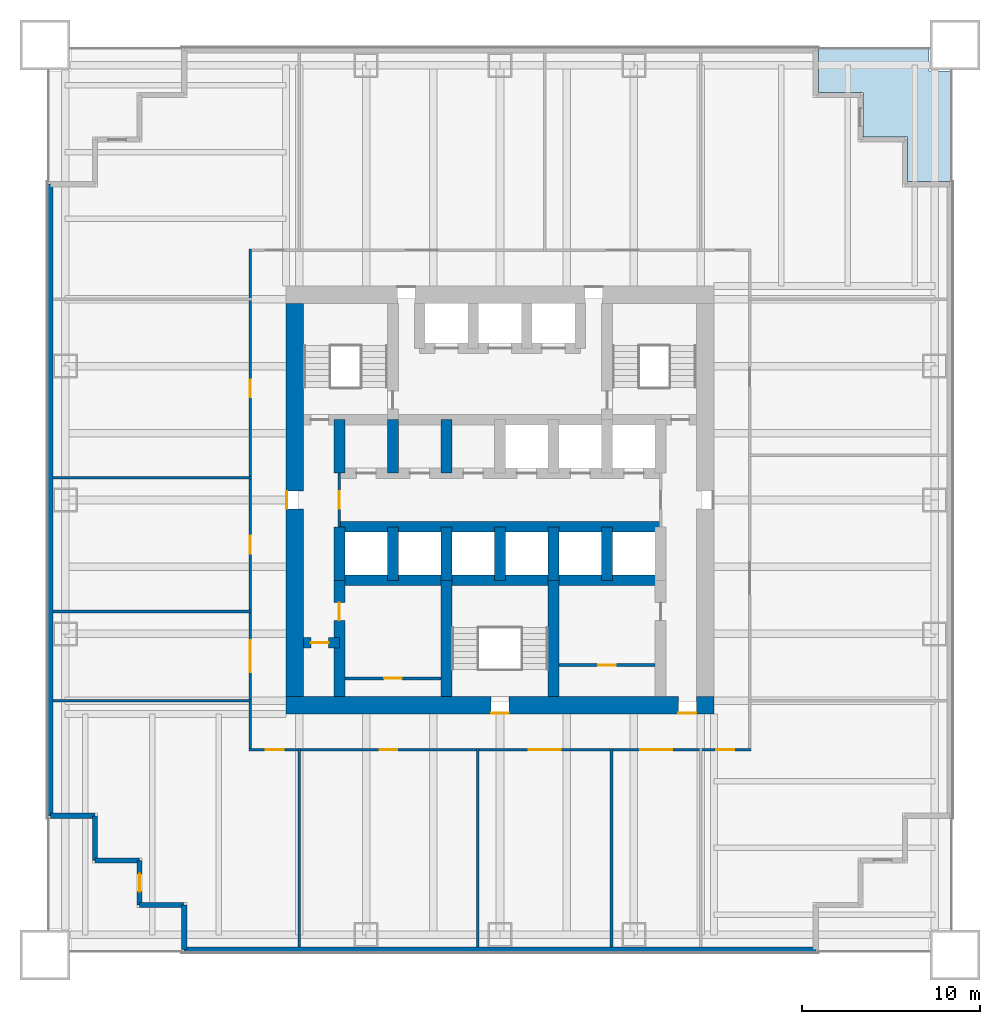
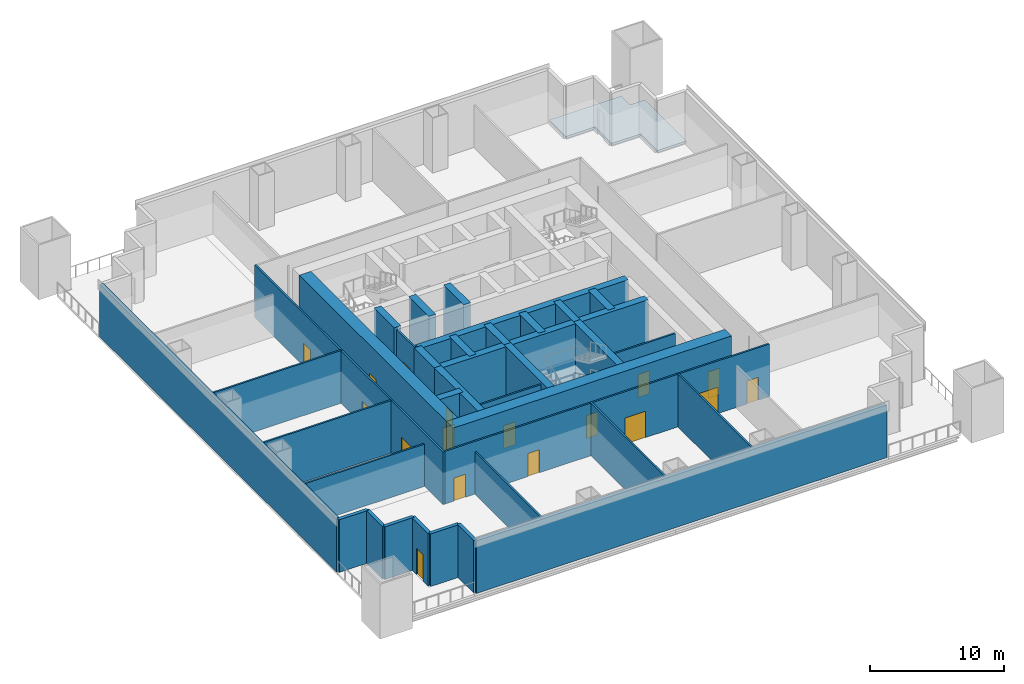
# One storey, part 2 of 6: 36 walls, 17 doors, 1 slab, 17 openings.
"""IFC4 building model written with IfcOpenShell, lengths in metres."""

import ifcopenshell
import ifcopenshell.guid

model = None  # the IFC model being written
_history = None  # IfcOwnerHistory: only IFC2X3 demands one
_inside = {}  # id of a spatial element -> (the spatial element, [elements in it])
_under = {}  # id of a project, library or spatial element -> (it, [spatial elements below it])
_declared = {}  # id of a project -> (the project, [libraries it declares])
_typed = {}  # id of a type object -> (the type object, [elements of that type])
_made_of = {}  # id of a material, layer set ... -> (it, [elements and type objects made of it])


def new_model(schema):
    """Start an empty IFC model of exactly this schema.

    Asked for "IFC4X3", IfcOpenShell would pick the latest addendum, in which some entities
    have other attributes; the version numbers below select the first issue.
    IFC2X3 requires an IfcOwnerHistory on every rooted entity: one is made here for all.
    """
    global model, _history
    if schema == "IFC4X3":
        model = ifcopenshell.file(schema_version=(4, 3, 0, 0))
    else:
        model = ifcopenshell.file(schema=schema)
    _inside.clear()
    _under.clear()
    _declared.clear()
    _typed.clear()
    _made_of.clear()
    _history = None
    if model.schema == "IFC2X3":
        org = make("IfcOrganization", Name="unknown")
        user = make(
            "IfcPersonAndOrganization",
            ThePerson=make("IfcPerson", FamilyName="unknown"),
            TheOrganization=org,
        )
        app = make(
            "IfcApplication",
            ApplicationDeveloper=org,
            Version="unknown",
            ApplicationFullName="unknown",
            ApplicationIdentifier="unknown",
        )
        _history = make(
            "IfcOwnerHistory",
            OwningUser=user,
            OwningApplication=app,
            ChangeAction="ADDED",
            CreationDate=0,
        )
    return model


def make(cls, **values):
    """One entity of the class cls with the attributes given. An attribute that is None is left unset."""
    return model.create_entity(
        cls, **{name: value for name, value in values.items() if value is not None}
    )


def rooted(cls, **values):
    """An entity with a GlobalId (a new one), such as an element, a storey or a relation."""
    return make(cls, GlobalId=ifcopenshell.guid.new(), OwnerHistory=_history, **values)


def si_unit(unit_type, name, prefix=None):
    """IfcSIUnit, for example si_unit("LENGTHUNIT", "METRE", prefix="MILLI")."""
    return make("IfcSIUnit", UnitType=unit_type, Prefix=prefix, Name=name)


def assignment(units):
    """IfcUnitAssignment: the units of a project."""
    return None if units is None else make("IfcUnitAssignment", Units=units)


def point(xyz):
    """IfcCartesianPoint."""
    return None if xyz is None else make("IfcCartesianPoint", Coordinates=xyz)


def direction(xyz):
    """IfcDirection."""
    return None if xyz is None else make("IfcDirection", DirectionRatios=xyz)


def frame(location, z_axis=None, x_axis=None):
    """IfcAxis2Placement3D, a coordinate frame: its origin and axes. An axis left out is left unset."""
    return make(
        "IfcAxis2Placement3D",
        Location=point(location),
        Axis=direction(z_axis),
        RefDirection=direction(x_axis),
    )


def frame_2d(location, x_axis=None):
    """IfcAxis2Placement2D, a coordinate frame in the plane: its origin and x axis."""
    return make(
        "IfcAxis2Placement2D", Location=point(location), RefDirection=direction(x_axis)
    )


def origin():
    """The frame at (0, 0, 0) with its axes left unset."""
    return frame((0.0, 0.0, 0.0))


def place(relative_to, where):
    """IfcLocalPlacement: puts the frame where relative to a parent placement (None: the world)."""
    return make(
        "IfcLocalPlacement", PlacementRelTo=relative_to, RelativePlacement=where
    )


def context(
    kind, dimensions, precision=None, world=None, true_north=None, identifier=None
):
    """IfcGeometricRepresentationContext, for example the 3D "Model" context."""
    return make(
        "IfcGeometricRepresentationContext",
        ContextIdentifier=identifier,
        ContextType=kind,
        CoordinateSpaceDimension=dimensions,
        Precision=precision,
        WorldCoordinateSystem=world,
        TrueNorth=true_north,
    )


def subcontext(parent, identifier, kind, view, scale=None):
    """IfcGeometricRepresentationSubContext, for example "Body" below "Model"."""
    return make(
        "IfcGeometricRepresentationSubContext",
        ContextIdentifier=identifier,
        ContextType=kind,
        ParentContext=parent,
        TargetScale=scale,
        TargetView=view,
    )


def project(units=None, contexts=None):
    """IfcProject with its units and contexts."""
    return rooted(
        "IfcProject",
        Name="project",
        RepresentationContexts=contexts,
        UnitsInContext=assignment(units),
    )


def spatial(cls, under=None, at=None, **own):
    """A site, building, storey or space (cls), placed at a placement, below another one or the project."""
    s = rooted(cls, ObjectPlacement=at, **own)
    if under is not None:
        _under.setdefault(under.id(), (under, []))[1].append(s)
    return s


def polyline(points):
    """IfcPolyline through the points."""
    return make("IfcPolyline", Points=[point(p) for p in points])


def profile(cls, at=None, kind="AREA", **sizes):
    """A parametric profile (cls). Its sizes go by their IFC names, for example OverallWidth=200.0."""
    return make(cls, ProfileType=kind, Position=at, **sizes)


def rectangle(**sizes):
    """IfcRectangleProfileDef."""
    return profile("IfcRectangleProfileDef", **sizes)


def outline(outer, holes=None, kind="AREA"):
    """IfcArbitraryClosedProfileDef: a profile drawn as a closed curve; with holes, ...WithVoids."""
    if holes is None:
        return make("IfcArbitraryClosedProfileDef", ProfileType=kind, OuterCurve=outer)
    return make(
        "IfcArbitraryProfileDefWithVoids",
        ProfileType=kind,
        OuterCurve=outer,
        InnerCurves=holes,
    )


def extrude(swept, where, along, depth):
    """IfcExtrudedAreaSolid: the profile swept, set in the frame where, extruded along a direction by depth."""
    return make(
        "IfcExtrudedAreaSolid",
        SweptArea=swept,
        Position=where,
        ExtrudedDirection=direction(along),
        Depth=depth,
    )


def shape(context_of_items, identifier, shape_type, items):
    """IfcShapeRepresentation: the items that make up one representation, for example the "Body"."""
    return make(
        "IfcShapeRepresentation",
        ContextOfItems=context_of_items,
        RepresentationIdentifier=identifier,
        RepresentationType=shape_type,
        Items=items,
    )


def material(Name=None, Category=None):
    """IfcMaterial."""
    return make("IfcMaterial", Name=Name, Category=Category)


def layer(
    of_material, thickness, ventilated=None, Name=None, Category=None, Priority=None
):
    """IfcMaterialLayer: one layer of a wall or slab, of a material (None: an air gap)."""
    return make(
        "IfcMaterialLayer",
        Material=of_material,
        LayerThickness=thickness,
        IsVentilated=ventilated,
        Name=Name,
        Category=Category,
        Priority=Priority,
    )


def layer_set(layers, Name=None):
    """IfcMaterialLayerSet."""
    return make("IfcMaterialLayerSet", MaterialLayers=layers, LayerSetName=Name)


def made_of(thing, what):
    """Note that an element or type object is made of a material, layer set ...; save() writes the relation."""
    if what is not None:
        _made_of.setdefault(what.id(), (what, []))[1].append(thing)
    return thing


def type_object(cls, material=None, **own):
    """A type object (cls), such as IfcWallType, which elements share."""
    return made_of(rooted(cls, **own), material)


def element(
    cls,
    number,
    at=None,
    inside=None,
    cuts=None,
    type_object=None,
    material=None,
    context=None,
    identifier="Body",
    shape_type=None,
    held_by="IfcProductDefinitionShape",
    body=None,
    shapes=None,
    **own,
):
    """One element of the class cls, such as IfcWall. Its Tag is "e" and its number.

    at: its placement. inside: the storey or other place that contains it. cuts: it is an
    opening in that element (IfcRelVoidsElement). A single representation is given by context,
    identifier, shape_type and body (its items); several are given by shapes. held_by: the class
    of the entity that holds the representations. save() writes the other relations.
    """
    e = rooted(cls, Tag="e%d" % number, ObjectPlacement=at, **own)
    if body is not None:
        shapes = [shape(context, identifier, shape_type, body)]
    if shapes is not None:
        e.Representation = make(held_by, Representations=shapes)
    if inside is not None:
        _inside.setdefault(inside.id(), (inside, []))[1].append(e)
    if cuts is not None:
        rooted(
            "IfcRelVoidsElement", RelatingBuildingElement=cuts, RelatedOpeningElement=e
        )
    if type_object is not None:
        _typed.setdefault(type_object.id(), (type_object, []))[1].append(e)
    return made_of(e, material)


def fill(opening, filler):
    """IfcRelFillsElement: the door or window that sits in an opening."""
    return rooted(
        "IfcRelFillsElement",
        RelatingOpeningElement=opening,
        RelatedBuildingElement=filler,
    )


def aggregate(whole, parts):
    """IfcRelAggregates: a whole, such as a stair, and the parts it consists of."""
    return rooted("IfcRelAggregates", RelatingObject=whole, RelatedObjects=parts)


def save(model, path):
    """Write the relations noted so far, then the file.

    IfcRelAggregates (storeys below a building ...), IfcRelContainedInSpatialStructure (elements
    in a storey), IfcRelDefinesByType, IfcRelAssociatesMaterial and IfcRelDeclares: one each for
    every whole, place, type object, material and project.
    """
    for whole, parts in _under.values():
        aggregate(whole, parts)
    for where, things in _inside.values():
        rooted(
            "IfcRelContainedInSpatialStructure",
            RelatedElements=things,
            RelatingStructure=where,
        )
    for kind, things in _typed.values():
        rooted("IfcRelDefinesByType", RelatedObjects=things, RelatingType=kind)
    for what, things in _made_of.values():
        rooted("IfcRelAssociatesMaterial", RelatedObjects=things, RelatingMaterial=what)
    for by, libraries in _declared.values():
        rooted("IfcRelDeclares", RelatingContext=by, RelatedDefinitions=libraries)
    model.write(path)


model = new_model("IFC4")

# Units and contexts
model_context = context("Model", 3, precision=1e-05, world=origin(), true_north=direction((0.0, 1.0)))
body_context = subcontext(model_context, "Body", "Model", "MODEL_VIEW")
ifc_project = project(units=[si_unit("LENGTHUNIT", "METRE"), si_unit("AREAUNIT", "SQUARE_METRE"), si_unit("VOLUMEUNIT", "CUBIC_METRE"), si_unit("PLANEANGLEUNIT", "RADIAN"), si_unit("MASSUNIT", "GRAM", prefix="KILO")], contexts=[model_context])

# Site, building, storey
site_placement = place(None, origin())
site = spatial("IfcSite", under=ifc_project, at=site_placement, CompositionType="ELEMENT")
building_placement = place(site_placement, origin())
building = spatial("IfcBuilding", under=site, at=building_placement, Name="Tarangal Relay Tower", CompositionType="ELEMENT")
storey_placement = place(building_placement, frame((0.0, 0.0, 33.39990234375)))
storey = spatial("IfcBuildingStorey", under=building, at=storey_placement, Name="L06", CompositionType="ELEMENT", Elevation=33.39990234375)

# Slab
ifc_material_1 = material(Name="Concrete fc' 35 MPa", Category="concrete")
ifc_layer_1 = layer(ifc_material_1, 0.199951171875)
ifc_layer_set_1 = layer_set([ifc_layer_1], Name="Terrace slab 200")
slab_type = type_object("IfcSlabType", Name="Terrace slab 200", PredefinedType="FLOOR", material=ifc_layer_set_1)
slab_placement = place(storey_placement, frame((0.0, 0.0, -0.199951171875)))
element("IfcSlab", 1, at=slab_placement, inside=storey, type_object=slab_type, Name="Corner terrace NE L06", PredefinedType="FLOOR", context=body_context, shape_type="SweptSolid", body=[
    extrude(outline(polyline([(17.85009765625, 25.35009765625), (17.85009765625, 22.85009765625), (20.35009765625, 22.85009765625), (20.35009765625, 20.35009765625), (22.85009765625, 20.35009765625), (22.85009765625, 17.85009765625), (25.35009765625, 17.85009765625), (25.35009765625, 24.050048828125), (24.050048828125, 24.050048828125), (24.050048828125, 25.35009765625), (17.85009765625, 25.35009765625)])), origin(), (0.0, 0.0, 1.0), 0.199951171875),
])

# Walls
ifc_material_2 = material(Name="Concrete fc' 60 MPa", Category="concrete")
ifc_layer_2 = layer(ifc_material_2, 0.60009765625)
ifc_layer_set_2 = layer_set([ifc_layer_2], Name="Core inner wall 600")
wall_type_1 = type_object("IfcWallType", Name="Core inner wall 600", PredefinedType="SHEAR", material=ifc_layer_set_2)
for number, where, z_axis, x_axis, name in (
    (2, (-9.0, -1.5, 0.0), (0.0, 0.0, 1.0), (1.0, 0.0, 0.0), "Core wall YM15 L06"),
    (3, (-9.0, -4.5, 0.0), (0.0, 0.0, 1.0), (1.0, 0.0, 0.0), "Core wall YM45 L06"),
):
    element("IfcWall", number, at=place(storey_placement, frame(where, z_axis=z_axis, x_axis=x_axis)), inside=storey, type_object=wall_type_1, Name=name, PredefinedType="SHEAR", context=body_context, shape_type="SweptSolid", body=[
        extrude(rectangle(XDim=18.0, YDim=0.60009765625, at=frame_2d((9.0, 0.0))), origin(), (0.0, 0.0, 1.0), 5.0),
    ])

# Wall, opening, door
wall_1_placement = place(storey_placement, frame((-11.0, -8.0, 0.0), z_axis=(0.0, 0.0, 1.0), x_axis=(1.0, 0.0, 0.0)))
wall_1 = element("IfcWall", 4, at=wall_1_placement, inside=storey, type_object=wall_type_1, Name="Core wall YM8 L06", PredefinedType="SHEAR", context=body_context, shape_type="SweptSolid", body=[
    extrude(rectangle(XDim=2.0, YDim=0.60009765625, at=frame_2d((1.0, 0.0))), origin(), (0.0, 0.0, 1.0), 5.0),
])
opening_1_placement = place(wall_1_placement, frame((0.39990234375, 0.0, 0.0)))
opening_1 = element("IfcOpeningElement", 5, at=opening_1_placement, cuts=wall_1, Name="Opening D1", PredefinedType="OPENING", context=body_context, shape_type="SweptSolid", body=[
    extrude(rectangle(XDim=1.0, YDim=2.10009765625, at=frame_2d((0.5, 1.050048828125))), frame((0.0, 0.31005859375, 0.0), z_axis=(0.0, -1.0, 0.0), x_axis=(1.0, 0.0, 0.0)), (0.0, 0.0, 1.0), 0.6201171875),
])
ifc_material_3 = material(Name="Hardwood door", Category="wood")
door_type_1 = type_object("IfcDoorType", Name="WC door 1000 x 2100", OperationType="SINGLE_SWING_LEFT", PredefinedType="DOOR", material=ifc_material_3)
door_1_placement = place(opening_1_placement, origin())
door_1 = element("IfcDoor", 6, at=door_1_placement, inside=storey, type_object=door_type_1, Name="Accessible WC door L06", OperationType="SINGLE_SWING_LEFT", OverallHeight=2.10009765625, OverallWidth=1.0, PredefinedType="DOOR", context=body_context, shape_type="SweptSolid", body=[
    extrude(rectangle(XDim=1.0, YDim=2.10009765625, at=frame_2d((0.5, 1.050048828125))), frame((0.0, 0.02490234375, 0.0), z_axis=(0.0, -1.0, 0.0), x_axis=(1.0, 0.0, 0.0)), (0.0, 0.0, 1.0), 0.050048828125),
])
fill(opening_1, door_1)

# Walls
for number, where, z_axis, x_axis, name in (
    (7, (-9.0, 1.5, 0.0), (0.0, 0.0, 1.0), (0.0, 1.0, 0.0), "Core wall XM9N L06"),
    (8, (-9.0, -4.5, 0.0), (0.0, 0.0, 1.0), (0.0, 1.0, 0.0), "Core wall XM9S L06"),
    (9, (-6.0, 1.5, 0.0), (0.0, 0.0, 1.0), (0.0, 1.0, 0.0), "Core wall XM6N L06"),
    (10, (-3.0, 1.5, 0.0), (0.0, 0.0, 1.0), (0.0, 1.0, 0.0), "Core wall XM3N L06"),
    (11, (-6.0, -4.5, 0.0), (0.0, 0.0, 1.0), (0.0, 1.0, 0.0), "Core wall XM6S L06"),
    (12, (-3.0, -4.5, 0.0), (0.0, 0.0, 1.0), (0.0, 1.0, 0.0), "Core wall XM3S L06"),
    (13, (0.0, -4.5, 0.0), (0.0, 0.0, 1.0), (0.0, 1.0, 0.0), "Core wall X0S L06"),
    (14, (3.0, -4.5, 0.0), (0.0, 0.0, 1.0), (0.0, 1.0, 0.0), "Core wall X3S L06"),
    (15, (6.0, -4.5, 0.0), (0.0, 0.0, 1.0), (0.0, 1.0, 0.0), "Core wall X6S L06"),
):
    element("IfcWall", number, at=place(storey_placement, frame(where, z_axis=z_axis, x_axis=x_axis)), inside=storey, type_object=wall_type_1, Name=name, PredefinedType="SHEAR", context=body_context, shape_type="SweptSolid", body=[
        extrude(rectangle(XDim=3.0, YDim=0.60009765625, at=frame_2d((1.5, 0.0))), origin(), (0.0, 0.0, 1.0), 5.0),
    ])

# Wall, opening, door
wall_2_placement = place(storey_placement, frame((-9.0, -11.0, 0.0), z_axis=(0.0, 0.0, 1.0), x_axis=(0.0, 1.0, 0.0)))
wall_2 = element("IfcWall", 16, at=wall_2_placement, inside=storey, type_object=wall_type_1, Name="Core wall XM9W L06", PredefinedType="SHEAR", context=body_context, shape_type="SweptSolid", body=[
    extrude(rectangle(XDim=6.5, YDim=0.60009765625, at=frame_2d((3.25, 0.0))), origin(), (0.0, 0.0, 1.0), 5.0),
])
opening_2_placement = place(wall_2_placement, frame((4.25, 0.0, 0.0)))
opening_2 = element("IfcOpeningElement", 17, at=opening_2_placement, cuts=wall_2, Name="Opening D1", PredefinedType="OPENING", context=body_context, shape_type="SweptSolid", body=[
    extrude(rectangle(XDim=1.0, YDim=2.10009765625, at=frame_2d((0.5, 1.050048828125))), frame((0.0, 0.31005859375, 0.0), z_axis=(0.0, -1.0, 0.0), x_axis=(1.0, 0.0, 0.0)), (0.0, 0.0, 1.0), 0.6201171875),
])
door_2_placement = place(opening_2_placement, origin())
door_2 = element("IfcDoor", 18, at=door_2_placement, inside=storey, type_object=door_type_1, Name="Male WC door L06", OperationType="SINGLE_SWING_LEFT", OverallHeight=2.10009765625, OverallWidth=1.0, PredefinedType="DOOR", context=body_context, shape_type="SweptSolid", body=[
    extrude(rectangle(XDim=1.0, YDim=2.10009765625, at=frame_2d((0.5, 1.050048828125))), frame((0.0, 0.02490234375, 0.0), z_axis=(0.0, -1.0, 0.0), x_axis=(1.0, 0.0, 0.0)), (0.0, 0.0, 1.0), 0.050048828125),
])
fill(opening_2, door_2)

# Walls
for number, where, z_axis, x_axis, name in (
    (19, (-3.0, -11.0, 0.0), (0.0, 0.0, 1.0), (0.0, 1.0, 0.0), "Core wall XM3W L06"),
    (20, (3.0, -11.0, 0.0), (0.0, 0.0, 1.0), (0.0, 1.0, 0.0), "Core wall X3W L06"),
):
    element("IfcWall", number, at=place(storey_placement, frame(where, z_axis=z_axis, x_axis=x_axis)), inside=storey, type_object=wall_type_1, Name=name, PredefinedType="SHEAR", context=body_context, shape_type="SweptSolid", body=[
        extrude(rectangle(XDim=6.5, YDim=0.60009765625, at=frame_2d((3.25, 0.0))), origin(), (0.0, 0.0, 1.0), 5.0),
    ])

# Wall, openings, doors
ifc_layer_3 = layer(ifc_material_2, 1.0)
ifc_layer_set_3 = layer_set([ifc_layer_3], Name="Core wall 1000")
wall_type_2 = type_object("IfcWallType", Name="Core wall 1000", PredefinedType="SHEAR", material=ifc_layer_set_3)
wall_3_placement = place(storey_placement, frame((12.0, -11.5, 0.0), z_axis=(0.0, 0.0, 1.0), x_axis=(-1.0, 0.0, 0.0)))
wall_3 = element("IfcWall", 21, at=wall_3_placement, inside=storey, type_object=wall_type_2, Name="Core wall S L06", PredefinedType="SHEAR", context=body_context, shape_type="SweptSolid", body=[
    extrude(rectangle(XDim=24.0, YDim=1.0, at=frame_2d((12.0, 0.0))), origin(), (0.0, 0.0, 1.0), 5.0),
])
opening_3_placement = place(wall_3_placement, frame((11.5, 0.0, 0.0)))
opening_3 = element("IfcOpeningElement", 22, at=opening_3_placement, cuts=wall_3, Name="Opening FD1", PredefinedType="OPENING", context=body_context, shape_type="SweptSolid", body=[
    extrude(rectangle(XDim=1.0, YDim=2.10009765625, at=frame_2d((0.5, 1.050048828125))), frame((0.0, 0.510009765625, 0.0), z_axis=(0.0, -1.0, 0.0), x_axis=(1.0, 0.0, 0.0)), (0.0, 0.0, 1.0), 1.02001953125),
])
opening_4_placement = place(wall_3_placement, frame((1.0, 0.0, 0.0)))
opening_4 = element("IfcOpeningElement", 23, at=opening_4_placement, cuts=wall_3, Name="Opening FD3", PredefinedType="OPENING", context=body_context, shape_type="SweptSolid", body=[
    extrude(rectangle(XDim=1.0, YDim=2.39990234375, at=frame_2d((0.5, 1.199951171875))), frame((0.0, 0.510009765625, 0.0), z_axis=(0.0, -1.0, 0.0), x_axis=(1.0, 0.0, 0.0)), (0.0, 0.0, 1.0), 1.02001953125),
])
ifc_material_4 = material(Name="Steel door with hardwood frame", Category="steel")
door_type_2 = type_object("IfcDoorType", Name="Fire door 1000 x 2100", OperationType="SINGLE_SWING_LEFT", PredefinedType="DOOR", material=ifc_material_4)
door_3_placement = place(opening_3_placement, origin())
door_3 = element("IfcDoor", 24, at=door_3_placement, inside=storey, type_object=door_type_2, Name="Stair ST-C door L06", OperationType="SINGLE_SWING_LEFT", OverallHeight=2.10009765625, OverallWidth=1.0, PredefinedType="DOOR", context=body_context, shape_type="SweptSolid", body=[
    extrude(rectangle(XDim=1.0, YDim=2.10009765625, at=frame_2d((0.5, 1.050048828125))), frame((0.0, 0.48486328125, 0.0), z_axis=(0.0, -1.0, 0.0), x_axis=(1.0, 0.0, 0.0)), (0.0, 0.0, 1.0), 0.050048828125),
])
fill(opening_3, door_3)
door_type_3 = type_object("IfcDoorType", Name="Fire door 1000 x 2400 core entry", OperationType="SINGLE_SWING_RIGHT", PredefinedType="DOOR", material=ifc_material_4)
door_4_placement = place(opening_4_placement, origin())
door_4 = element("IfcDoor", 25, at=door_4_placement, inside=storey, type_object=door_type_3, Name="Core entry door south east L06", OperationType="SINGLE_SWING_RIGHT", OverallHeight=2.39990234375, OverallWidth=1.0, PredefinedType="DOOR", context=body_context, shape_type="SweptSolid", body=[
    extrude(rectangle(XDim=1.0, YDim=2.39990234375, at=frame_2d((0.5, 1.199951171875))), frame((0.0, 0.48486328125, 0.0), z_axis=(0.0, -1.0, 0.0), x_axis=(1.0, 0.0, 0.0)), (0.0, 0.0, 1.0), 0.050048828125),
])
fill(opening_4, door_4)

# Wall, opening, door
wall_4_placement = place(storey_placement, frame((-11.5, -11.0, 0.0), z_axis=(0.0, 0.0, 1.0), x_axis=(0.0, 1.0, 0.0)))
wall_4 = element("IfcWall", 26, at=wall_4_placement, inside=storey, type_object=wall_type_2, Name="Core wall W L06", PredefinedType="SHEAR", context=body_context, shape_type="SweptSolid", body=[
    extrude(rectangle(XDim=22.0, YDim=1.0, at=frame_2d((11.0, 0.0))), origin(), (0.0, 0.0, 1.0), 5.0),
])
opening_5_placement = place(wall_4_placement, frame((10.5, 0.0, 0.0)))
opening_5 = element("IfcOpeningElement", 27, at=opening_5_placement, cuts=wall_4, Name="Opening FD3", PredefinedType="OPENING", context=body_context, shape_type="SweptSolid", body=[
    extrude(rectangle(XDim=1.0, YDim=2.39990234375, at=frame_2d((0.5, 1.199951171875))), frame((0.0, 0.510009765625, 0.0), z_axis=(0.0, -1.0, 0.0), x_axis=(1.0, 0.0, 0.0)), (0.0, 0.0, 1.0), 1.02001953125),
])
door_5_placement = place(opening_5_placement, origin())
door_5 = element("IfcDoor", 28, at=door_5_placement, inside=storey, type_object=door_type_3, Name="Core entry door west L06", OperationType="SINGLE_SWING_RIGHT", OverallHeight=2.39990234375, OverallWidth=1.0, PredefinedType="DOOR", context=body_context, shape_type="SweptSolid", body=[
    extrude(rectangle(XDim=1.0, YDim=2.39990234375, at=frame_2d((0.5, 1.199951171875))), frame((0.0, 0.48486328125, 0.0), z_axis=(0.0, -1.0, 0.0), x_axis=(1.0, 0.0, 0.0)), (0.0, 0.0, 1.0), 0.050048828125),
])
fill(opening_5, door_5)

# Walls
ifc_material_5 = material(Name="Insulated precast concrete fc' 40 MPa", Category="concrete")
ifc_layer_4 = layer(ifc_material_5, 0.300048828125)
ifc_layer_set_4 = layer_set([ifc_layer_4], Name="Insulated precast concrete fc' 40 MPa")
wall_type_3 = type_object("IfcWallType", Name="Facade wall precast 300", PredefinedType="SOLIDWALL", material=ifc_layer_set_4)
wall_5_placement = place(storey_placement, frame((17.699951171875, -25.199951171875, 0.0), z_axis=(0.0, 0.0, 1.0), x_axis=(-1.0, 0.0, 0.0)))
element("IfcWall", 29, at=wall_5_placement, inside=storey, type_object=wall_type_3, Name="Facade wall S facade L06", PredefinedType="SOLIDWALL", context=body_context, shape_type="SweptSolid", body=[
    extrude(rectangle(XDim=35.39990234375, YDim=0.300048828125, at=frame_2d((17.699951171875, 0.0))), origin(), (0.0, 0.0, 1.0), 4.800048828125),
])
for number, where, z_axis, x_axis, name in (
    (30, (-17.699951171875, -25.199951171875, 0.0), (0.0, 0.0, 1.0), (0.0, 1.0, 0.0), "Facade wall S facade L06"),
    (31, (-17.699951171875, -22.699951171875, 0.0), (0.0, 0.0, 1.0), (-1.0, 0.0, 0.0), "Facade wall S facade L06"),
):
    element("IfcWall", number, at=place(storey_placement, frame(where, z_axis=z_axis, x_axis=x_axis)), inside=storey, type_object=wall_type_3, Name=name, PredefinedType="SOLIDWALL", context=body_context, shape_type="SweptSolid", body=[
        extrude(rectangle(XDim=2.5, YDim=0.300048828125, at=frame_2d((1.25, 0.0))), origin(), (0.0, 0.0, 1.0), 4.800048828125),
    ])

# Wall, opening, door
wall_6_placement = place(storey_placement, frame((-20.199951171875, -22.699951171875, 0.0), z_axis=(0.0, 0.0, 1.0), x_axis=(0.0, 1.0, 0.0)))
wall_6 = element("IfcWall", 32, at=wall_6_placement, inside=storey, type_object=wall_type_3, Name="Facade wall S facade L06", PredefinedType="SOLIDWALL", context=body_context, shape_type="SweptSolid", body=[
    extrude(rectangle(XDim=2.5, YDim=0.300048828125, at=frame_2d((1.25, 0.0))), origin(), (0.0, 0.0, 1.0), 4.800048828125),
])
opening_6_placement = place(wall_6_placement, frame((0.75, 0.0, 0.0)))
opening_6 = element("IfcOpeningElement", 33, at=opening_6_placement, cuts=wall_6, Name="Opening TD1", PredefinedType="OPENING", context=body_context, shape_type="SweptSolid", body=[
    extrude(rectangle(XDim=1.0, YDim=2.39990234375, at=frame_2d((0.5, 1.199951171875))), frame((0.0, 0.159912109375, 0.0), z_axis=(0.0, -1.0, 0.0), x_axis=(1.0, 0.0, 0.0)), (0.0, 0.0, 1.0), 0.320068359375),
])
ifc_material_6 = material(Name="Aluminium glazed door", Category="aluminium")
door_type_4 = type_object("IfcDoorType", Name="Terrace door 1000 x 2400", OperationType="SINGLE_SWING_RIGHT", PredefinedType="DOOR", material=ifc_material_6)
door_6_placement = place(opening_6_placement, origin())
door_6 = element("IfcDoor", 34, at=door_6_placement, inside=storey, type_object=door_type_4, Name="Terrace door TD1 SW L06", OperationType="SINGLE_SWING_RIGHT", OverallHeight=2.39990234375, OverallWidth=1.0, PredefinedType="DOOR", context=body_context, shape_type="SweptSolid", body=[
    extrude(rectangle(XDim=1.0, YDim=2.39990234375, at=frame_2d((0.5, 1.199951171875))), frame((0.0, 0.02490234375, 0.0), z_axis=(0.0, -1.0, 0.0), x_axis=(1.0, 0.0, 0.0)), (0.0, 0.0, 1.0), 0.050048828125),
])
fill(opening_6, door_6)

# Walls
for number, where, z_axis, x_axis, name in (
    (35, (-20.199951171875, -20.199951171875, 0.0), (0.0, 0.0, 1.0), (-1.0, 0.0, 0.0), "Facade wall S facade L06"),
    (36, (-22.699951171875, -20.199951171875, 0.0), (0.0, 0.0, 1.0), (0.0, 1.0, 0.0), "Facade wall S facade L06"),
    (37, (-22.699951171875, -17.699951171875, 0.0), (0.0, 0.0, 1.0), (-1.0, 0.0, 0.0), "Facade wall S facade L06"),
):
    element("IfcWall", number, at=place(storey_placement, frame(where, z_axis=z_axis, x_axis=x_axis)), inside=storey, type_object=wall_type_3, Name=name, PredefinedType="SOLIDWALL", context=body_context, shape_type="SweptSolid", body=[
        extrude(rectangle(XDim=2.5, YDim=0.300048828125, at=frame_2d((1.25, 0.0))), origin(), (0.0, 0.0, 1.0), 4.800048828125),
    ])
wall_7_placement = place(storey_placement, frame((-25.199951171875, -17.699951171875, 0.0), z_axis=(0.0, 0.0, 1.0), x_axis=(0.0, 1.0, 0.0)))
element("IfcWall", 38, at=wall_7_placement, inside=storey, type_object=wall_type_3, Name="Facade wall W facade L06", PredefinedType="SOLIDWALL", context=body_context, shape_type="SweptSolid", body=[
    extrude(rectangle(XDim=35.39990234375, YDim=0.300048828125, at=frame_2d((17.699951171875, 0.0))), origin(), (0.0, 0.0, 1.0), 4.800048828125),
])

# Wall, openings, doors
ifc_material_7 = material(Name="Gypsum board on steel studs", Category="steel")
ifc_layer_5 = layer(ifc_material_7, 0.14990234375)
ifc_layer_set_5 = layer_set([ifc_layer_5], Name="Partition 150")
wall_type_4 = type_object("IfcWallType", Name="Partition 150", PredefinedType="PARTITIONING", material=ifc_layer_set_5)
wall_8_placement = place(storey_placement, frame((-14.074951171875, -14.0, 0.0), z_axis=(0.0, 0.0, 1.0), x_axis=(1.0, 0.0, 0.0)))
wall_8 = element("IfcWall", 39, at=wall_8_placement, inside=storey, type_object=wall_type_4, Name="Partition PT1 L06", PredefinedType="PARTITIONING", context=body_context, shape_type="SweptSolid", body=[
    extrude(rectangle(XDim=28.14990234375, YDim=0.14990234375, at=frame_2d((14.074951171875, 0.0))), origin(), (0.0, 0.0, 1.0), 4.800048828125),
])
opening_7_placement = place(wall_8_placement, frame((21.925048828125, 0.0, 0.0)))
opening_7 = element("IfcOpeningElement", 40, at=opening_7_placement, cuts=wall_8, Name="Opening DD1", PredefinedType="OPENING", context=body_context, shape_type="SweptSolid", body=[
    extrude(rectangle(XDim=1.800048828125, YDim=2.39990234375, at=frame_2d((0.89990234375, 1.199951171875))), frame((0.0, 0.0849609375, 0.0), z_axis=(0.0, -1.0, 0.0), x_axis=(1.0, 0.0, 0.0)), (0.0, 0.0, 1.0), 0.169921875),
])
opening_8_placement = place(wall_8_placement, frame((15.675048828125, 0.0, 0.0)))
opening_8 = element("IfcOpeningElement", 41, at=opening_8_placement, cuts=wall_8, Name="Opening DD1", PredefinedType="OPENING", context=body_context, shape_type="SweptSolid", body=[
    extrude(rectangle(XDim=1.800048828125, YDim=2.39990234375, at=frame_2d((0.89990234375, 1.199951171875))), frame((0.0, 0.0849609375, 0.0), z_axis=(0.0, -1.0, 0.0), x_axis=(1.0, 0.0, 0.0)), (0.0, 0.0, 1.0), 0.169921875),
])
opening_9_placement = place(wall_8_placement, frame((7.324951171875, 0.0, 0.0)))
opening_9 = element("IfcOpeningElement", 42, at=opening_9_placement, cuts=wall_8, Name="Opening D2", PredefinedType="OPENING", context=body_context, shape_type="SweptSolid", body=[
    extrude(rectangle(XDim=1.0, YDim=2.10009765625, at=frame_2d((0.5, 1.050048828125))), frame((0.0, 0.0849609375, 0.0), z_axis=(0.0, -1.0, 0.0), x_axis=(1.0, 0.0, 0.0)), (0.0, 0.0, 1.0), 0.169921875),
])
opening_10_placement = place(wall_8_placement, frame((26.199951171875, 0.0, 0.0)))
opening_10 = element("IfcOpeningElement", 43, at=opening_10_placement, cuts=wall_8, Name="Opening D2", PredefinedType="OPENING", context=body_context, shape_type="SweptSolid", body=[
    extrude(rectangle(XDim=1.0, YDim=2.10009765625, at=frame_2d((0.5, 1.050048828125))), frame((0.0, 0.0849609375, 0.0), z_axis=(0.0, -1.0, 0.0), x_axis=(1.0, 0.0, 0.0)), (0.0, 0.0, 1.0), 0.169921875),
])
opening_11_placement = place(wall_8_placement, frame((0.949951171875, 0.0, 0.0)))
opening_11 = element("IfcOpeningElement", 44, at=opening_11_placement, cuts=wall_8, Name="Opening D2", PredefinedType="OPENING", context=body_context, shape_type="SweptSolid", body=[
    extrude(rectangle(XDim=1.0, YDim=2.10009765625, at=frame_2d((0.5, 1.050048828125))), frame((0.0, 0.0849609375, 0.0), z_axis=(0.0, -1.0, 0.0), x_axis=(1.0, 0.0, 0.0)), (0.0, 0.0, 1.0), 0.169921875),
])
door_type_5 = type_object("IfcDoorType", Name="Door 1000 x 2100", OperationType="SINGLE_SWING_LEFT", PredefinedType="DOOR", material=ifc_material_3)
door_7_placement = place(opening_9_placement, origin())
door_7 = element("IfcDoor", 45, at=door_7_placement, inside=storey, type_object=door_type_5, Name="Door D2 to rack staging room L06-08", OperationType="SINGLE_SWING_LEFT", OverallHeight=2.10009765625, OverallWidth=1.0, PredefinedType="DOOR", context=body_context, shape_type="SweptSolid", body=[
    extrude(rectangle(XDim=1.0, YDim=2.10009765625, at=frame_2d((0.5, 1.050048828125))), frame((0.0, 0.02490234375, 0.0), z_axis=(0.0, -1.0, 0.0), x_axis=(1.0, 0.0, 0.0)), (0.0, 0.0, 1.0), 0.050048828125),
])
fill(opening_9, door_7)
door_8_placement = place(opening_10_placement, origin())
door_8 = element("IfcDoor", 46, at=door_8_placement, inside=storey, type_object=door_type_5, Name="Door D2 to shift engineer office L06-13", OperationType="SINGLE_SWING_LEFT", OverallHeight=2.10009765625, OverallWidth=1.0, PredefinedType="DOOR", context=body_context, shape_type="SweptSolid", body=[
    extrude(rectangle(XDim=1.0, YDim=2.10009765625, at=frame_2d((0.5, 1.050048828125))), frame((0.0, 0.02490234375, 0.0), z_axis=(0.0, -1.0, 0.0), x_axis=(1.0, 0.0, 0.0)), (0.0, 0.0, 1.0), 0.050048828125),
])
fill(opening_10, door_8)
door_9_placement = place(opening_11_placement, origin())
door_9 = element("IfcDoor", 47, at=door_9_placement, inside=storey, type_object=door_type_5, Name="Door D2 to security office L06-14", OperationType="SINGLE_SWING_LEFT", OverallHeight=2.10009765625, OverallWidth=1.0, PredefinedType="DOOR", context=body_context, shape_type="SweptSolid", body=[
    extrude(rectangle(XDim=1.0, YDim=2.10009765625, at=frame_2d((0.5, 1.050048828125))), frame((0.0, 0.02490234375, 0.0), z_axis=(0.0, -1.0, 0.0), x_axis=(1.0, 0.0, 0.0)), (0.0, 0.0, 1.0), 0.050048828125),
])
fill(opening_11, door_9)
door_type_6 = type_object("IfcDoorType", Name="Equipment double door 1800 x 2400", OperationType="DOUBLE_DOOR_SINGLE_SWING", PredefinedType="DOOR", material=ifc_material_4)
door_10_placement = place(opening_7_placement, origin())
door_10 = element("IfcDoor", 48, at=door_10_placement, inside=storey, type_object=door_type_6, Name="Door DD1 to electrical room L06-06", OperationType="DOUBLE_DOOR_SINGLE_SWING", OverallHeight=2.39990234375, OverallWidth=1.800048828125, PredefinedType="DOOR", context=body_context, shape_type="SweptSolid", body=[
    extrude(rectangle(XDim=1.800048828125, YDim=2.39990234375, at=frame_2d((0.89990234375, 1.199951171875))), frame((0.0, 0.02490234375, 0.0), z_axis=(0.0, -1.0, 0.0), x_axis=(1.0, 0.0, 0.0)), (0.0, 0.0, 1.0), 0.050048828125),
])
fill(opening_7, door_10)
door_11_placement = place(opening_8_placement, origin())
door_11 = element("IfcDoor", 49, at=door_11_placement, inside=storey, type_object=door_type_6, Name="Door DD1 to network equipment room L06-07", OperationType="DOUBLE_DOOR_SINGLE_SWING", OverallHeight=2.39990234375, OverallWidth=1.800048828125, PredefinedType="DOOR", context=body_context, shape_type="SweptSolid", body=[
    extrude(rectangle(XDim=1.800048828125, YDim=2.39990234375, at=frame_2d((0.89990234375, 1.199951171875))), frame((0.0, 0.02490234375, 0.0), z_axis=(0.0, -1.0, 0.0), x_axis=(1.0, 0.0, 0.0)), (0.0, 0.0, 1.0), 0.050048828125),
])
fill(opening_8, door_11)

# Walls
wall_9_placement = place(storey_placement, frame((-25.050048828125, -11.25, 0.0), z_axis=(0.0, 0.0, 1.0), x_axis=(1.0, 0.0, 0.0)))
element("IfcWall", 50, at=wall_9_placement, inside=storey, type_object=wall_type_4, Name="Partition PT1 L06", PredefinedType="PARTITIONING", context=body_context, shape_type="SweptSolid", body=[
    extrude(rectangle(XDim=11.125, YDim=0.14990234375, at=frame_2d((5.5625, 0.0))), origin(), (0.0, 0.0, 1.0), 3.852783203125),
])
for number, where, z_axis, x_axis, name in (
    (51, (-25.050048828125, -6.25, 0.0), (0.0, 0.0, 1.0), (1.0, 0.0, 0.0), "Partition PT1 L06"),
    (52, (-25.050048828125, 1.25, 0.0), (0.0, 0.0, 1.0), (1.0, 0.0, 0.0), "Partition PT1 L06"),
):
    element("IfcWall", number, at=place(storey_placement, frame(where, z_axis=z_axis, x_axis=x_axis)), inside=storey, type_object=wall_type_4, Name=name, PredefinedType="PARTITIONING", context=body_context, shape_type="SweptSolid", body=[
        extrude(rectangle(XDim=11.125, YDim=0.14990234375, at=frame_2d((5.5625, 0.0))), origin(), (0.0, 0.0, 1.0), 4.800048828125),
    ])

# Wall, openings, doors
wall_10_placement = place(storey_placement, frame((-14.0, -14.074951171875, 0.0), z_axis=(0.0, 0.0, 1.0), x_axis=(0.0, 1.0, 0.0)))
wall_10 = element("IfcWall", 53, at=wall_10_placement, inside=storey, type_object=wall_type_4, Name="Partition PT1 L06", PredefinedType="PARTITIONING", context=body_context, shape_type="SweptSolid", body=[
    extrude(rectangle(XDim=28.14990234375, YDim=0.14990234375, at=frame_2d((14.074951171875, 0.0))), origin(), (0.0, 0.0, 1.0), 4.800048828125),
])
opening_12_placement = place(wall_10_placement, frame((4.425048828125, 0.0, 0.0)))
opening_12 = element("IfcOpeningElement", 54, at=opening_12_placement, cuts=wall_10, Name="Opening DD1", PredefinedType="OPENING", context=body_context, shape_type="SweptSolid", body=[
    extrude(rectangle(XDim=1.800048828125, YDim=2.39990234375, at=frame_2d((0.89990234375, 1.199951171875))), frame((0.0, 0.0849609375, 0.0), z_axis=(0.0, -1.0, 0.0), x_axis=(1.0, 0.0, 0.0)), (0.0, 0.0, 1.0), 0.169921875),
])
opening_13_placement = place(wall_10_placement, frame((11.074951171875, 0.0, 0.0)))
opening_13 = element("IfcOpeningElement", 55, at=opening_13_placement, cuts=wall_10, Name="Opening D2", PredefinedType="OPENING", context=body_context, shape_type="SweptSolid", body=[
    extrude(rectangle(XDim=1.0, YDim=2.10009765625, at=frame_2d((0.5, 1.050048828125))), frame((0.0, 0.0849609375, 0.0), z_axis=(0.0, -1.0, 0.0), x_axis=(1.0, 0.0, 0.0)), (0.0, 0.0, 1.0), 0.169921875),
])
opening_14_placement = place(wall_10_placement, frame((19.824951171875, 0.0, 0.0)))
opening_14 = element("IfcOpeningElement", 56, at=opening_14_placement, cuts=wall_10, Name="Opening D2", PredefinedType="OPENING", context=body_context, shape_type="SweptSolid", body=[
    extrude(rectangle(XDim=1.0, YDim=2.10009765625, at=frame_2d((0.5, 1.050048828125))), frame((0.0, 0.0849609375, 0.0), z_axis=(0.0, -1.0, 0.0), x_axis=(1.0, 0.0, 0.0)), (0.0, 0.0, 1.0), 0.169921875),
])
door_12_placement = place(opening_13_placement, origin())
door_12 = element("IfcDoor", 57, at=door_12_placement, inside=storey, type_object=door_type_5, Name="Door D2 to customer office L06-10", OperationType="SINGLE_SWING_LEFT", OverallHeight=2.10009765625, OverallWidth=1.0, PredefinedType="DOOR", context=body_context, shape_type="SweptSolid", body=[
    extrude(rectangle(XDim=1.0, YDim=2.10009765625, at=frame_2d((0.5, 1.050048828125))), frame((0.0, 0.02490234375, 0.0), z_axis=(0.0, -1.0, 0.0), x_axis=(1.0, 0.0, 0.0)), (0.0, 0.0, 1.0), 0.050048828125),
])
fill(opening_13, door_12)
door_13_placement = place(opening_14_placement, origin())
door_13 = element("IfcDoor", 58, at=door_13_placement, inside=storey, type_object=door_type_5, Name="Door D2 to account manager office L06-11", OperationType="SINGLE_SWING_LEFT", OverallHeight=2.10009765625, OverallWidth=1.0, PredefinedType="DOOR", context=body_context, shape_type="SweptSolid", body=[
    extrude(rectangle(XDim=1.0, YDim=2.10009765625, at=frame_2d((0.5, 1.050048828125))), frame((0.0, 0.02490234375, 0.0), z_axis=(0.0, -1.0, 0.0), x_axis=(1.0, 0.0, 0.0)), (0.0, 0.0, 1.0), 0.050048828125),
])
fill(opening_14, door_13)
door_14_placement = place(opening_12_placement, origin())
door_14 = element("IfcDoor", 59, at=door_14_placement, inside=storey, type_object=door_type_6, Name="Door DD1 to gas suppression cylinder room L06-09", OperationType="DOUBLE_DOOR_SINGLE_SWING", OverallHeight=2.39990234375, OverallWidth=1.800048828125, PredefinedType="DOOR", context=body_context, shape_type="SweptSolid", body=[
    extrude(rectangle(XDim=1.800048828125, YDim=2.39990234375, at=frame_2d((0.89990234375, 1.199951171875))), frame((0.0, 0.02490234375, 0.0), z_axis=(0.0, -1.0, 0.0), x_axis=(1.0, 0.0, 0.0)), (0.0, 0.0, 1.0), 0.050048828125),
])
fill(opening_12, door_14)

# Walls
wall_11_placement = place(storey_placement, frame((-11.25, -25.050048828125, 0.0), z_axis=(0.0, 0.0, 1.0), x_axis=(0.0, 1.0, 0.0)))
element("IfcWall", 60, at=wall_11_placement, inside=storey, type_object=wall_type_4, Name="Partition PT1 L06", PredefinedType="PARTITIONING", context=body_context, shape_type="SweptSolid", body=[
    extrude(rectangle(XDim=11.125, YDim=0.14990234375, at=frame_2d((5.5625, 0.0))), origin(), (0.0, 0.0, 1.0), 3.852783203125),
])
for number, where, z_axis, x_axis, name in (
    (61, (-1.25, -25.050048828125, 0.0), (0.0, 0.0, 1.0), (0.0, 1.0, 0.0), "Partition PT1 L06"),
    (62, (6.25, -25.050048828125, 0.0), (0.0, 0.0, 1.0), (0.0, 1.0, 0.0), "Partition PT1 L06"),
):
    element("IfcWall", number, at=place(storey_placement, frame(where, z_axis=z_axis, x_axis=x_axis)), inside=storey, type_object=wall_type_4, Name=name, PredefinedType="PARTITIONING", context=body_context, shape_type="SweptSolid", body=[
        extrude(rectangle(XDim=11.125, YDim=0.14990234375, at=frame_2d((5.5625, 0.0))), origin(), (0.0, 0.0, 1.0), 4.800048828125),
    ])

# Wall, opening, door
wall_12_placement = place(storey_placement, frame((-8.699951171875, -10.0, 0.0), z_axis=(0.0, 0.0, 1.0), x_axis=(1.0, 0.0, 0.0)))
wall_12 = element("IfcWall", 63, at=wall_12_placement, inside=storey, type_object=wall_type_4, Name="Partition PT1 L06", PredefinedType="PARTITIONING", context=body_context, shape_type="SweptSolid", body=[
    extrude(rectangle(XDim=5.39990234375, YDim=0.14990234375, at=frame_2d((2.699951171875, 0.0))), origin(), (0.0, 0.0, 1.0), 4.75),
])
opening_15_placement = place(wall_12_placement, frame((2.199951171875, 0.0, 0.0)))
opening_15 = element("IfcOpeningElement", 64, at=opening_15_placement, cuts=wall_12, Name="Opening D1", PredefinedType="OPENING", context=body_context, shape_type="SweptSolid", body=[
    extrude(rectangle(XDim=1.0, YDim=2.10009765625, at=frame_2d((0.5, 1.050048828125))), frame((0.0, 0.0849609375, 0.0), z_axis=(0.0, -1.0, 0.0), x_axis=(1.0, 0.0, 0.0)), (0.0, 0.0, 1.0), 0.169921875),
])
door_15_placement = place(opening_15_placement, origin())
door_15 = element("IfcDoor", 65, at=door_15_placement, inside=storey, type_object=door_type_1, Name="Door D1 to male shower room L06-C7B", OperationType="SINGLE_SWING_LEFT", OverallHeight=2.10009765625, OverallWidth=1.0, PredefinedType="DOOR", context=body_context, shape_type="SweptSolid", body=[
    extrude(rectangle(XDim=1.0, YDim=2.10009765625, at=frame_2d((0.5, 1.050048828125))), frame((0.0, 0.02490234375, 0.0), z_axis=(0.0, -1.0, 0.0), x_axis=(1.0, 0.0, 0.0)), (0.0, 0.0, 1.0), 0.050048828125),
])
fill(opening_15, door_15)

wall_13_placement = place(storey_placement, frame((3.300048828125, -9.25, 0.0), z_axis=(0.0, 0.0, 1.0), x_axis=(1.0, 0.0, 0.0)))
wall_13 = element("IfcWall", 66, at=wall_13_placement, inside=storey, type_object=wall_type_4, Name="Partition PT1 L06", PredefinedType="PARTITIONING", context=body_context, shape_type="SweptSolid", body=[
    extrude(rectangle(XDim=5.39990234375, YDim=0.14990234375, at=frame_2d((2.699951171875, 0.0))), origin(), (0.0, 0.0, 1.0), 4.75),
])
opening_16_placement = place(wall_13_placement, frame((2.199951171875, 0.0, 0.0)))
opening_16 = element("IfcOpeningElement", 67, at=opening_16_placement, cuts=wall_13, Name="Opening D1", PredefinedType="OPENING", context=body_context, shape_type="SweptSolid", body=[
    extrude(rectangle(XDim=1.0, YDim=2.10009765625, at=frame_2d((0.5, 1.050048828125))), frame((0.0, 0.0849609375, 0.0), z_axis=(0.0, -1.0, 0.0), x_axis=(1.0, 0.0, 0.0)), (0.0, 0.0, 1.0), 0.169921875),
])
door_16_placement = place(opening_16_placement, origin())
door_16 = element("IfcDoor", 68, at=door_16_placement, inside=storey, type_object=door_type_1, Name="Door D1 to female shower and changing room L06-C10B", OperationType="SINGLE_SWING_LEFT", OverallHeight=2.10009765625, OverallWidth=1.0, PredefinedType="DOOR", context=body_context, shape_type="SweptSolid", body=[
    extrude(rectangle(XDim=1.0, YDim=2.10009765625, at=frame_2d((0.5, 1.050048828125))), frame((0.0, 0.02490234375, 0.0), z_axis=(0.0, -1.0, 0.0), x_axis=(1.0, 0.0, 0.0)), (0.0, 0.0, 1.0), 0.050048828125),
])
fill(opening_16, door_16)

wall_14_placement = place(storey_placement, frame((-9.0, -1.5, 0.0), z_axis=(0.0, 0.0, 1.0), x_axis=(0.0, 1.0, 0.0)))
wall_14 = element("IfcWall", 69, at=wall_14_placement, inside=storey, type_object=wall_type_4, Name="Partition PT1 L06", PredefinedType="PARTITIONING", context=body_context, shape_type="SweptSolid", body=[
    extrude(rectangle(XDim=3.0, YDim=0.14990234375, at=frame_2d((1.5, 0.0))), origin(), (0.0, 0.0, 1.0), 4.75),
])
opening_17_placement = place(wall_14_placement, frame((1.0, 0.0, 0.0)))
opening_17 = element("IfcOpeningElement", 70, at=opening_17_placement, cuts=wall_14, Name="Opening FD3", PredefinedType="OPENING", context=body_context, shape_type="SweptSolid", body=[
    extrude(rectangle(XDim=1.0, YDim=2.39990234375, at=frame_2d((0.5, 1.199951171875))), frame((0.0, 0.0849609375, 0.0), z_axis=(0.0, -1.0, 0.0), x_axis=(1.0, 0.0, 0.0)), (0.0, 0.0, 1.0), 0.169921875),
])
door_17_placement = place(opening_17_placement, origin())
door_17 = element("IfcDoor", 71, at=door_17_placement, inside=storey, type_object=door_type_3, Name="Lift lobby door FD3 to the west corridor L06", OperationType="SINGLE_SWING_RIGHT", OverallHeight=2.39990234375, OverallWidth=1.0, PredefinedType="DOOR", context=body_context, shape_type="SweptSolid", body=[
    extrude(rectangle(XDim=1.0, YDim=2.39990234375, at=frame_2d((0.5, 1.199951171875))), frame((0.0, 0.02490234375, 0.0), z_axis=(0.0, -1.0, 0.0), x_axis=(1.0, 0.0, 0.0)), (0.0, 0.0, 1.0), 0.050048828125),
])
fill(opening_17, door_17)

save(model, "model.ifc")
